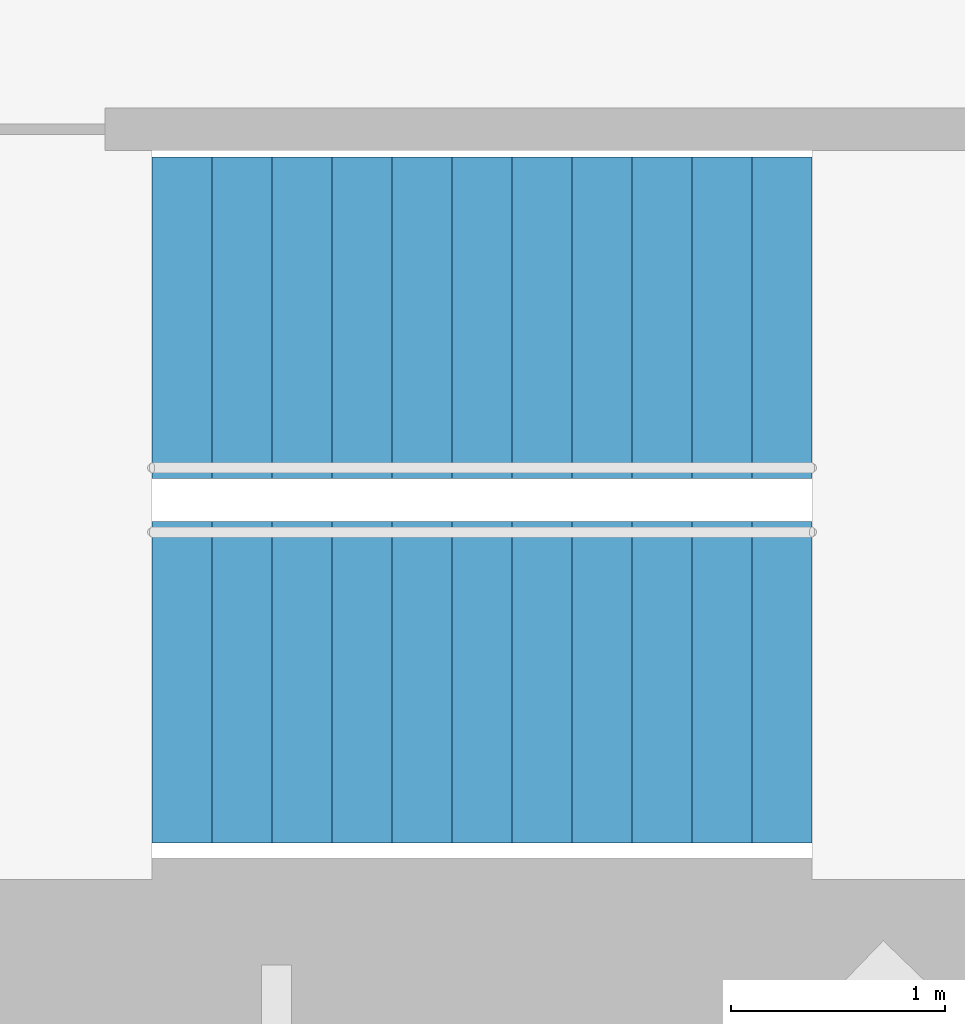
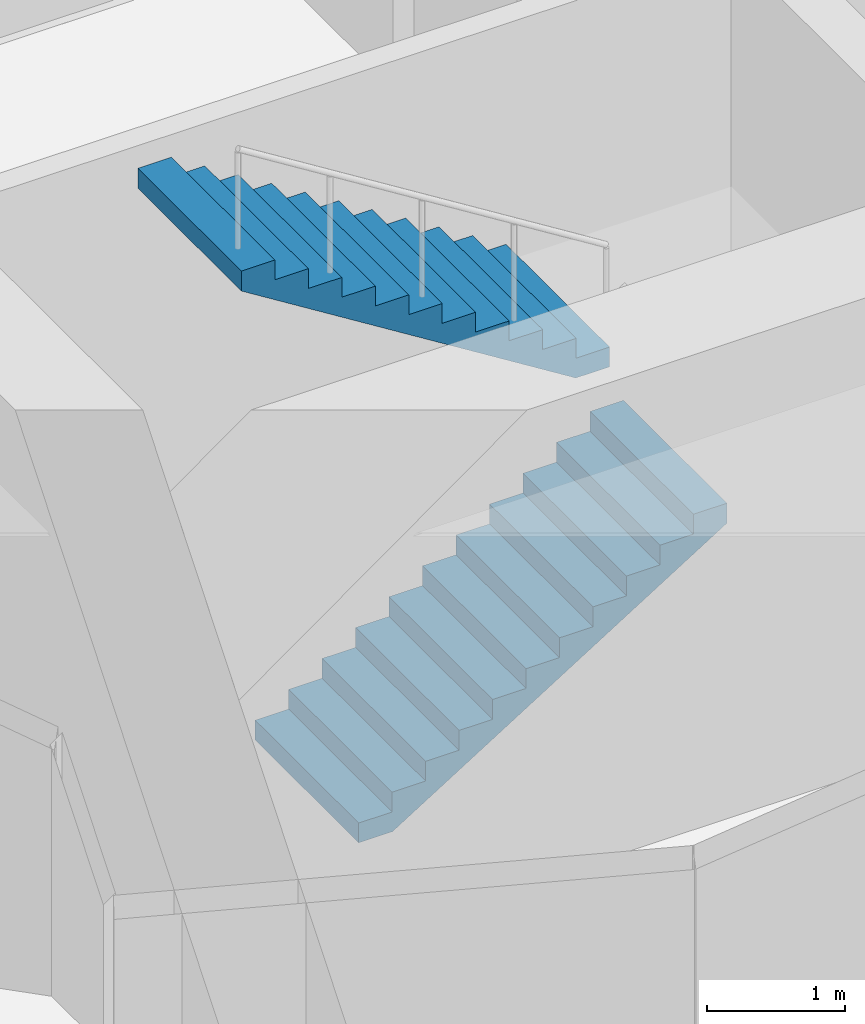
# One storey, part 16 of 18: 2 stair flights, 1 element without a shape of its own.
"""IFC4 building model written with IfcOpenShell, lengths in metres."""

import ifcopenshell
import ifcopenshell.guid

model = None  # the IFC model being written
_history = None  # IfcOwnerHistory: only IFC2X3 demands one
_inside = {}  # id of a spatial element -> (the spatial element, [elements in it])
_under = {}  # id of a project, library or spatial element -> (it, [spatial elements below it])
_declared = {}  # id of a project -> (the project, [libraries it declares])
_typed = {}  # id of a type object -> (the type object, [elements of that type])
_made_of = {}  # id of a material, layer set ... -> (it, [elements and type objects made of it])


def new_model(schema):
    """Start an empty IFC model of exactly this schema.

    Asked for "IFC4X3", IfcOpenShell would pick the latest addendum, in which some entities
    have other attributes; the version numbers below select the first issue.
    IFC2X3 requires an IfcOwnerHistory on every rooted entity: one is made here for all.
    """
    global model, _history
    if schema == "IFC4X3":
        model = ifcopenshell.file(schema_version=(4, 3, 0, 0))
    else:
        model = ifcopenshell.file(schema=schema)
    _inside.clear()
    _under.clear()
    _declared.clear()
    _typed.clear()
    _made_of.clear()
    _history = None
    if model.schema == "IFC2X3":
        org = make("IfcOrganization", Name="unknown")
        user = make(
            "IfcPersonAndOrganization",
            ThePerson=make("IfcPerson", FamilyName="unknown"),
            TheOrganization=org,
        )
        app = make(
            "IfcApplication",
            ApplicationDeveloper=org,
            Version="unknown",
            ApplicationFullName="unknown",
            ApplicationIdentifier="unknown",
        )
        _history = make(
            "IfcOwnerHistory",
            OwningUser=user,
            OwningApplication=app,
            ChangeAction="ADDED",
            CreationDate=0,
        )
    return model


def make(cls, **values):
    """One entity of the class cls with the attributes given. An attribute that is None is left unset."""
    return model.create_entity(
        cls, **{name: value for name, value in values.items() if value is not None}
    )


def rooted(cls, **values):
    """An entity with a GlobalId (a new one), such as an element, a storey or a relation."""
    return make(cls, GlobalId=ifcopenshell.guid.new(), OwnerHistory=_history, **values)


def si_unit(unit_type, name, prefix=None):
    """IfcSIUnit, for example si_unit("LENGTHUNIT", "METRE", prefix="MILLI")."""
    return make("IfcSIUnit", UnitType=unit_type, Prefix=prefix, Name=name)


def assignment(units):
    """IfcUnitAssignment: the units of a project."""
    return None if units is None else make("IfcUnitAssignment", Units=units)


def point(xyz):
    """IfcCartesianPoint."""
    return None if xyz is None else make("IfcCartesianPoint", Coordinates=xyz)


def direction(xyz):
    """IfcDirection."""
    return None if xyz is None else make("IfcDirection", DirectionRatios=xyz)


def frame(location, z_axis=None, x_axis=None):
    """IfcAxis2Placement3D, a coordinate frame: its origin and axes. An axis left out is left unset."""
    return make(
        "IfcAxis2Placement3D",
        Location=point(location),
        Axis=direction(z_axis),
        RefDirection=direction(x_axis),
    )


def origin():
    """The frame at (0, 0, 0) with its axes left unset."""
    return frame((0.0, 0.0, 0.0))


def place(relative_to, where):
    """IfcLocalPlacement: puts the frame where relative to a parent placement (None: the world)."""
    return make(
        "IfcLocalPlacement", PlacementRelTo=relative_to, RelativePlacement=where
    )


def context(
    kind, dimensions, precision=None, world=None, true_north=None, identifier=None
):
    """IfcGeometricRepresentationContext, for example the 3D "Model" context."""
    return make(
        "IfcGeometricRepresentationContext",
        ContextIdentifier=identifier,
        ContextType=kind,
        CoordinateSpaceDimension=dimensions,
        Precision=precision,
        WorldCoordinateSystem=world,
        TrueNorth=true_north,
    )


def subcontext(parent, identifier, kind, view, scale=None):
    """IfcGeometricRepresentationSubContext, for example "Body" below "Model"."""
    return make(
        "IfcGeometricRepresentationSubContext",
        ContextIdentifier=identifier,
        ContextType=kind,
        ParentContext=parent,
        TargetScale=scale,
        TargetView=view,
    )


def project(units=None, contexts=None):
    """IfcProject with its units and contexts."""
    return rooted(
        "IfcProject",
        Name="project",
        RepresentationContexts=contexts,
        UnitsInContext=assignment(units),
    )


def spatial(cls, under=None, at=None, **own):
    """A site, building, storey or space (cls), placed at a placement, below another one or the project."""
    s = rooted(cls, ObjectPlacement=at, **own)
    if under is not None:
        _under.setdefault(under.id(), (under, []))[1].append(s)
    return s


def point_list(points):
    """IfcCartesianPointList2D or 3D."""
    cls = (
        "IfcCartesianPointList2D" if len(points[0]) == 2 else "IfcCartesianPointList3D"
    )
    return make(cls, CoordList=points)


def triangles(points, corners, closed=None, point_numbers=None):
    """IfcTriangulatedFaceSet: each triangle names its three corners, points numbered from 1."""
    return make(
        "IfcTriangulatedFaceSet",
        Coordinates=point_list(points),
        Closed=closed,
        CoordIndex=corners,
        PnIndex=point_numbers,
    )


def shape(context_of_items, identifier, shape_type, items):
    """IfcShapeRepresentation: the items that make up one representation, for example the "Body"."""
    return make(
        "IfcShapeRepresentation",
        ContextOfItems=context_of_items,
        RepresentationIdentifier=identifier,
        RepresentationType=shape_type,
        Items=items,
    )


def material(Name=None, Category=None):
    """IfcMaterial."""
    return make("IfcMaterial", Name=Name, Category=Category)


def made_of(thing, what):
    """Note that an element or type object is made of a material, layer set ...; save() writes the relation."""
    if what is not None:
        _made_of.setdefault(what.id(), (what, []))[1].append(thing)
    return thing


def type_object(cls, material=None, **own):
    """A type object (cls), such as IfcWallType, which elements share."""
    return made_of(rooted(cls, **own), material)


def element(
    cls,
    number,
    at=None,
    inside=None,
    cuts=None,
    type_object=None,
    material=None,
    context=None,
    identifier="Body",
    shape_type=None,
    held_by="IfcProductDefinitionShape",
    body=None,
    shapes=None,
    **own,
):
    """One element of the class cls, such as IfcWall. Its Tag is "e" and its number.

    at: its placement. inside: the storey or other place that contains it. cuts: it is an
    opening in that element (IfcRelVoidsElement). A single representation is given by context,
    identifier, shape_type and body (its items); several are given by shapes. held_by: the class
    of the entity that holds the representations. save() writes the other relations.
    """
    e = rooted(cls, Tag="e%d" % number, ObjectPlacement=at, **own)
    if body is not None:
        shapes = [shape(context, identifier, shape_type, body)]
    if shapes is not None:
        e.Representation = make(held_by, Representations=shapes)
    if inside is not None:
        _inside.setdefault(inside.id(), (inside, []))[1].append(e)
    if cuts is not None:
        rooted(
            "IfcRelVoidsElement", RelatingBuildingElement=cuts, RelatedOpeningElement=e
        )
    if type_object is not None:
        _typed.setdefault(type_object.id(), (type_object, []))[1].append(e)
    return made_of(e, material)


def aggregate(whole, parts):
    """IfcRelAggregates: a whole, such as a stair, and the parts it consists of."""
    return rooted("IfcRelAggregates", RelatingObject=whole, RelatedObjects=parts)


def save(model, path):
    """Write the relations noted so far, then the file.

    IfcRelAggregates (storeys below a building ...), IfcRelContainedInSpatialStructure (elements
    in a storey), IfcRelDefinesByType, IfcRelAssociatesMaterial and IfcRelDeclares: one each for
    every whole, place, type object, material and project.
    """
    for whole, parts in _under.values():
        aggregate(whole, parts)
    for where, things in _inside.values():
        rooted(
            "IfcRelContainedInSpatialStructure",
            RelatedElements=things,
            RelatingStructure=where,
        )
    for kind, things in _typed.values():
        rooted("IfcRelDefinesByType", RelatedObjects=things, RelatingType=kind)
    for what, things in _made_of.values():
        rooted("IfcRelAssociatesMaterial", RelatedObjects=things, RelatingMaterial=what)
    for by, libraries in _declared.values():
        rooted("IfcRelDeclares", RelatingContext=by, RelatedDefinitions=libraries)
    model.write(path)


model = new_model("IFC4")

# Units and contexts
model_context = context("Model", 3, precision=1e-05, world=origin(), true_north=direction((0.0, 1.0)))
body_context = subcontext(model_context, "Body", "Model", "MODEL_VIEW")
ifc_project = project(units=[si_unit("LENGTHUNIT", "METRE"), si_unit("AREAUNIT", "SQUARE_METRE"), si_unit("VOLUMEUNIT", "CUBIC_METRE"), si_unit("PLANEANGLEUNIT", "RADIAN"), si_unit("MASSUNIT", "GRAM", prefix="KILO")], contexts=[model_context])

# Site, building, storey
site_placement = place(None, origin())
site = spatial("IfcSite", under=ifc_project, at=site_placement, CompositionType="ELEMENT")
building_placement = place(site_placement, origin())
building = spatial("IfcBuilding", under=site, at=building_placement, Name="Lantaw Convention Tower", CompositionType="ELEMENT")
storey_placement = place(building_placement, frame((0.0, 0.0, 257.800048828125)))
storey = spatial("IfcBuildingStorey", under=building, at=storey_placement, Name="L60", CompositionType="ELEMENT", Elevation=257.800048828125)

# Stair, stair flights
ifc_material = material(Name="Concrete C35/45", Category="concrete")
stair_type = type_object("IfcStairType", Name="Exit stair 1500 riser 175 in 2 flights", PredefinedType="HALF_TURN_STAIR", material=ifc_material)
stair_placement = place(storey_placement, origin())
stair = element("IfcStair", 1, at=stair_placement, inside=storey, type_object=stair_type, Name="Exit stair S1 L60", PredefinedType="HALF_TURN_STAIR")
stair_flight_type = type_object("IfcStairFlightType", Name="Stair flight 1500 riser 175", PredefinedType="STRAIGHT", material=ifc_material)
stair_flight_1_placement = place(storey_placement, frame((-10.580078125, -5.97998046875, 0.0), z_axis=(0.0, 0.0, 1.0), x_axis=(1.0, 0.0, 0.0)))
stair_flight_1 = element("IfcStairFlight", 2, at=stair_flight_1_placement, type_object=stair_flight_type, Name="S1 flight 1", NumberOfRisers=12, NumberOfTreads=11, PredefinedType="STRAIGHT", RiserHeight=0.175, TreadLength=0.28, context=body_context, shape_type="Tessellation", body=[
    triangles([(0.0, 0.75, 0.0), (0.0, 0.75, 0.175), (0.28, 0.75, 0.0), (0.28, 0.75, 0.175), (0.28, 0.75, 0.35), (0.28283517651771284, 0.75, 0.0), (0.28283517651771284, 0.75, 0.35), (0.56, 0.75, 0.17322801467642948), (0.56, 0.75, 0.35), (0.56, 0.75, 0.5249999999999999), (0.8400000000000001, 0.75, 0.34822801467642944), (0.8400000000000001, 0.75, 0.5249999999999999), (0.8400000000000001, 0.75, 0.7), (1.12, 0.75, 0.5232280146764294), (1.12, 0.75, 0.7), (1.12, 0.75, 0.875), (1.4000000000000001, 0.75, 0.6982280146764295), (1.4000000000000001, 0.75, 0.875), (1.4000000000000001, 0.75, 1.0499999999999998), (1.6800000000000002, 0.75, 0.8732280146764294), (1.6800000000000002, 0.75, 1.0499999999999998), (1.6800000000000002, 0.75, 1.2249999999999999), (1.9600000000000002, 0.75, 1.0482280146764293), (1.9600000000000002, 0.75, 1.2249999999999999), (1.9600000000000002, 0.75, 1.4), (2.24, 0.75, 1.2232280146764294), (2.24, 0.75, 1.4), (2.24, 0.75, 1.575), (2.5200000000000005, 0.75, 1.3982280146764294), (2.5200000000000005, 0.75, 1.575), (2.5200000000000005, 0.75, 1.75), (2.8000000000000003, 0.75, 1.5732280146764293), (2.8000000000000003, 0.75, 1.75), (2.8000000000000003, 0.75, 1.9249999999999998), (3.08, 0.75, 1.7482280146764293), (3.08, 0.75, 1.9249999999999998), (0.0, -0.75, 0.0), (0.0, -0.75, 0.175), (0.28, -0.75, 0.0), (0.28, -0.75, 0.175), (0.28, -0.75, 0.35), (0.28283517651771284, -0.75, 0.0), (0.28283517651771284, -0.75, 0.35), (0.56, -0.75, 0.17322801467642948), (0.56, -0.75, 0.35), (0.56, -0.75, 0.5249999999999999), (0.8400000000000001, -0.75, 0.34822801467642944), (0.8400000000000001, -0.75, 0.5249999999999999), (0.8400000000000001, -0.75, 0.7), (1.12, -0.75, 0.5232280146764294), (1.12, -0.75, 0.7), (1.12, -0.75, 0.875), (1.4000000000000001, -0.75, 0.6982280146764295), (1.4000000000000001, -0.75, 0.875), (1.4000000000000001, -0.75, 1.0499999999999998), (1.6800000000000002, -0.75, 0.8732280146764294), (1.6800000000000002, -0.75, 1.0499999999999998), (1.6800000000000002, -0.75, 1.2249999999999999), (1.9600000000000002, -0.75, 1.0482280146764293), (1.9600000000000002, -0.75, 1.2249999999999999), (1.9600000000000002, -0.75, 1.4), (2.24, -0.75, 1.2232280146764294), (2.24, -0.75, 1.4), (2.24, -0.75, 1.575), (2.5200000000000005, -0.75, 1.3982280146764294), (2.5200000000000005, -0.75, 1.575), (2.5200000000000005, -0.75, 1.75), (2.8000000000000003, -0.75, 1.5732280146764293), (2.8000000000000003, -0.75, 1.75), (2.8000000000000003, -0.75, 1.9249999999999998), (3.08, -0.75, 1.7482280146764293), (3.08, -0.75, 1.9249999999999998), (0.0, 0.15000000000000002, 0.175), (0.0, 0.15000000000000002, 0.0), (0.0, 0.0, 0.175), (0.0, 0.0, 0.0), (0.0, -0.15000000000000002, 0.175), (0.0, -0.15000000000000002, 0.0), (0.28, 0.15000000000000002, 0.35), (0.28, 0.15000000000000002, 0.175), (0.28, 0.0, 0.35), (0.28, 0.0, 0.175), (0.28, -0.15000000000000002, 0.35), (0.28, -0.15000000000000002, 0.175), (0.56, 0.15000000000000002, 0.5249999999999999), (0.56, 0.15000000000000002, 0.35), (0.56, 0.0, 0.5249999999999999), (0.56, 0.0, 0.35), (0.56, -0.15000000000000002, 0.5249999999999999), (0.56, -0.15000000000000002, 0.35), (0.8400000000000001, 0.15000000000000002, 0.7), (0.8400000000000001, 0.15000000000000002, 0.5249999999999999), (0.8400000000000001, 0.0, 0.7), (0.8400000000000001, 0.0, 0.5249999999999999), (0.8400000000000001, -0.15000000000000002, 0.7), (0.8400000000000001, -0.15000000000000002, 0.5249999999999999), (1.12, 0.15000000000000002, 0.875), (1.12, 0.15000000000000002, 0.7), (1.12, 0.0, 0.875), (1.12, 0.0, 0.7), (1.12, -0.15000000000000002, 0.875), (1.12, -0.15000000000000002, 0.7), (1.4000000000000001, 0.15000000000000002, 1.0499999999999998), (1.4000000000000001, 0.15000000000000002, 0.875), (1.4000000000000001, 0.0, 1.0499999999999998), (1.4000000000000001, 0.0, 0.875), (1.4000000000000001, -0.15000000000000002, 1.0499999999999998), (1.4000000000000001, -0.15000000000000002, 0.875), (1.6800000000000002, 0.15000000000000002, 1.2249999999999999), (1.6800000000000002, 0.15000000000000002, 1.0499999999999998), (1.6800000000000002, 0.0, 1.2249999999999999), (1.6800000000000002, 0.0, 1.0499999999999998), (1.6800000000000002, -0.15000000000000002, 1.2249999999999999), (1.6800000000000002, -0.15000000000000002, 1.0499999999999998), (1.9600000000000002, 0.15000000000000002, 1.4), (1.9600000000000002, 0.15000000000000002, 1.2249999999999999), (1.9600000000000002, 0.0, 1.4), (1.9600000000000002, 0.0, 1.2249999999999999), (1.9600000000000002, -0.15000000000000002, 1.4), (1.9600000000000002, -0.15000000000000002, 1.2249999999999999), (2.24, 0.15000000000000002, 1.575), (2.24, 0.15000000000000002, 1.4), (2.24, 0.0, 1.575), (2.24, 0.0, 1.4), (2.24, -0.15000000000000002, 1.575), (2.24, -0.15000000000000002, 1.4), (2.5200000000000005, 0.15000000000000002, 1.75), (2.5200000000000005, 0.15000000000000002, 1.575), (2.5200000000000005, 0.0, 1.75), (2.5200000000000005, 0.0, 1.575), (2.5200000000000005, -0.15000000000000002, 1.75), (2.5200000000000005, -0.15000000000000002, 1.575), (2.8000000000000003, 0.15000000000000002, 1.9249999999999998), (2.8000000000000003, 0.15000000000000002, 1.75), (2.8000000000000003, 0.0, 1.9249999999999998), (2.8000000000000003, 0.0, 1.75), (2.8000000000000003, -0.15000000000000002, 1.9249999999999998), (2.8000000000000003, -0.15000000000000002, 1.75), (0.28283517651771284, 0.15000000000000002, 0.35), (0.28283517651771284, 0.0, 0.35), (0.28283517651771284, -0.15000000000000002, 0.35), (3.08, 0.15000000000000002, 1.9249999999999998), (3.08, 0.0, 1.9249999999999998), (3.08, -0.15000000000000002, 1.9249999999999998), (3.08, 0.15000000000000002, 1.7482280146764293), (3.08, 0.0, 1.7482280146764293), (3.08, -0.15000000000000002, 1.7482280146764293), (2.8000000000000003, 0.15000000000000002, 1.5732280146764293), (2.8000000000000003, 0.0, 1.5732280146764293), (2.8000000000000003, -0.15000000000000002, 1.5732280146764293), (2.5200000000000005, 0.15000000000000002, 1.3982280146764294), (2.5200000000000005, 0.0, 1.3982280146764294), (2.5200000000000005, -0.15000000000000002, 1.3982280146764294), (2.24, 0.15000000000000002, 1.2232280146764294), (2.24, 0.0, 1.2232280146764294), (2.24, -0.15000000000000002, 1.2232280146764294), (1.9600000000000002, 0.15000000000000002, 1.0482280146764293), (1.9600000000000002, 0.0, 1.0482280146764293), (1.9600000000000002, -0.15000000000000002, 1.0482280146764293), (1.6800000000000002, 0.15000000000000002, 0.8732280146764294), (1.6800000000000002, 0.0, 0.8732280146764294), (1.6800000000000002, -0.15000000000000002, 0.8732280146764294), (1.4000000000000001, 0.15000000000000002, 0.6982280146764295), (1.4000000000000001, 0.0, 0.6982280146764295), (1.4000000000000001, -0.15000000000000002, 0.6982280146764295), (1.12, 0.15000000000000002, 0.5232280146764294), (1.12, 0.0, 0.5232280146764294), (1.12, -0.15000000000000002, 0.5232280146764294), (0.8400000000000001, 0.15000000000000002, 0.34822801467642944), (0.8400000000000001, 0.0, 0.34822801467642944), (0.8400000000000001, -0.15000000000000002, 0.34822801467642944), (0.56, 0.15000000000000002, 0.17322801467642948), (0.56, 0.0, 0.17322801467642948), (0.56, -0.15000000000000002, 0.17322801467642948), (0.28283517651771284, 0.15000000000000002, 0.0), (0.28283517651771284, 0.0, 0.0), (0.28283517651771284, -0.15000000000000002, 0.0), (0.28, 0.15000000000000002, 0.0), (0.28, 0.0, 0.0), (0.28, -0.15000000000000002, 0.0)], [[1, 4, 3], [1, 2, 4], [3, 4, 6], [4, 7, 6], [4, 5, 7], [6, 9, 8], [6, 7, 9], [8, 9, 11], [9, 12, 11], [9, 10, 12], [11, 12, 14], [12, 15, 14], [12, 13, 15], [14, 15, 17], [15, 18, 17], [15, 16, 18], [17, 18, 20], [18, 21, 20], [18, 19, 21], [20, 21, 23], [21, 24, 23], [21, 22, 24], [23, 24, 26], [24, 27, 26], [24, 25, 27], [26, 27, 29], [27, 30, 29], [27, 28, 30], [29, 30, 32], [30, 33, 32], [30, 31, 33], [32, 33, 35], [33, 36, 35], [33, 34, 36], [37, 39, 40], [37, 40, 38], [39, 42, 40], [40, 42, 43], [40, 43, 41], [42, 44, 45], [42, 45, 43], [44, 47, 45], [45, 47, 48], [45, 48, 46], [47, 50, 48], [48, 50, 51], [48, 51, 49], [50, 53, 51], [51, 53, 54], [51, 54, 52], [53, 56, 54], [54, 56, 57], [54, 57, 55], [56, 59, 57], [57, 59, 60], [57, 60, 58], [59, 62, 60], [60, 62, 63], [60, 63, 61], [62, 65, 63], [63, 65, 66], [63, 66, 64], [65, 68, 66], [66, 68, 69], [66, 69, 67], [68, 71, 69], [69, 71, 72], [69, 72, 70], [1, 73, 2], [1, 74, 73], [74, 75, 73], [74, 76, 75], [76, 77, 75], [76, 78, 77], [78, 38, 77], [78, 37, 38], [4, 79, 5], [4, 80, 79], [80, 81, 79], [80, 82, 81], [82, 83, 81], [82, 84, 83], [84, 41, 83], [84, 40, 41], [9, 85, 10], [9, 86, 85], [86, 87, 85], [86, 88, 87], [88, 89, 87], [88, 90, 89], [90, 46, 89], [90, 45, 46], [12, 91, 13], [12, 92, 91], [92, 93, 91], [92, 94, 93], [94, 95, 93], [94, 96, 95], [96, 49, 95], [96, 48, 49], [15, 97, 16], [15, 98, 97], [98, 99, 97], [98, 100, 99], [100, 101, 99], [100, 102, 101], [102, 52, 101], [102, 51, 52], [18, 103, 19], [18, 104, 103], [104, 105, 103], [104, 106, 105], [106, 107, 105], [106, 108, 107], [108, 55, 107], [108, 54, 55], [21, 109, 22], [21, 110, 109], [110, 111, 109], [110, 112, 111], [112, 113, 111], [112, 114, 113], [114, 58, 113], [114, 57, 58], [24, 115, 25], [24, 116, 115], [116, 117, 115], [116, 118, 117], [118, 119, 117], [118, 120, 119], [120, 61, 119], [120, 60, 61], [27, 121, 28], [27, 122, 121], [122, 123, 121], [122, 124, 123], [124, 125, 123], [124, 126, 125], [126, 64, 125], [126, 63, 64], [30, 127, 31], [30, 128, 127], [128, 129, 127], [128, 130, 129], [130, 131, 129], [130, 132, 131], [132, 67, 131], [132, 66, 67], [33, 133, 34], [33, 134, 133], [134, 135, 133], [134, 136, 135], [136, 137, 135], [136, 138, 137], [138, 70, 137], [138, 69, 70], [2, 80, 4], [2, 73, 80], [73, 82, 80], [73, 75, 82], [75, 84, 82], [75, 77, 84], [77, 40, 84], [77, 38, 40], [5, 139, 7], [5, 79, 139], [79, 140, 139], [79, 81, 140], [81, 141, 140], [81, 83, 141], [83, 43, 141], [83, 41, 43], [7, 86, 9], [7, 139, 86], [139, 88, 86], [139, 140, 88], [140, 90, 88], [140, 141, 90], [141, 45, 90], [141, 43, 45], [10, 92, 12], [10, 85, 92], [85, 94, 92], [85, 87, 94], [87, 96, 94], [87, 89, 96], [89, 48, 96], [89, 46, 48], [13, 98, 15], [13, 91, 98], [91, 100, 98], [91, 93, 100], [93, 102, 100], [93, 95, 102], [95, 51, 102], [95, 49, 51], [16, 104, 18], [16, 97, 104], [97, 106, 104], [97, 99, 106], [99, 108, 106], [99, 101, 108], [101, 54, 108], [101, 52, 54], [19, 110, 21], [19, 103, 110], [103, 112, 110], [103, 105, 112], [105, 114, 112], [105, 107, 114], [107, 57, 114], [107, 55, 57], [22, 116, 24], [22, 109, 116], [109, 118, 116], [109, 111, 118], [111, 120, 118], [111, 113, 120], [113, 60, 120], [113, 58, 60], [25, 122, 27], [25, 115, 122], [115, 124, 122], [115, 117, 124], [117, 126, 124], [117, 119, 126], [119, 63, 126], [119, 61, 63], [28, 128, 30], [28, 121, 128], [121, 130, 128], [121, 123, 130], [123, 132, 130], [123, 125, 132], [125, 66, 132], [125, 64, 66], [31, 134, 33], [31, 127, 134], [127, 136, 134], [127, 129, 136], [129, 138, 136], [129, 131, 138], [131, 69, 138], [131, 67, 69], [34, 142, 36], [34, 133, 142], [133, 143, 142], [133, 135, 143], [135, 144, 143], [135, 137, 144], [137, 72, 144], [137, 70, 72], [36, 145, 35], [36, 142, 145], [142, 146, 145], [142, 143, 146], [143, 147, 146], [143, 144, 147], [144, 71, 147], [144, 72, 71], [35, 148, 32], [35, 145, 148], [145, 149, 148], [145, 146, 149], [146, 150, 149], [146, 147, 150], [147, 68, 150], [147, 71, 68], [32, 151, 29], [32, 148, 151], [148, 152, 151], [148, 149, 152], [149, 153, 152], [149, 150, 153], [150, 65, 153], [150, 68, 65], [29, 154, 26], [29, 151, 154], [151, 155, 154], [151, 152, 155], [152, 156, 155], [152, 153, 156], [153, 62, 156], [153, 65, 62], [26, 157, 23], [26, 154, 157], [154, 158, 157], [154, 155, 158], [155, 159, 158], [155, 156, 159], [156, 59, 159], [156, 62, 59], [23, 160, 20], [23, 157, 160], [157, 161, 160], [157, 158, 161], [158, 162, 161], [158, 159, 162], [159, 56, 162], [159, 59, 56], [20, 163, 17], [20, 160, 163], [160, 164, 163], [160, 161, 164], [161, 165, 164], [161, 162, 165], [162, 53, 165], [162, 56, 53], [17, 166, 14], [17, 163, 166], [163, 167, 166], [163, 164, 167], [164, 168, 167], [164, 165, 168], [165, 50, 168], [165, 53, 50], [14, 169, 11], [14, 166, 169], [166, 170, 169], [166, 167, 170], [167, 171, 170], [167, 168, 171], [168, 47, 171], [168, 50, 47], [11, 172, 8], [11, 169, 172], [169, 173, 172], [169, 170, 173], [170, 174, 173], [170, 171, 174], [171, 44, 174], [171, 47, 44], [8, 175, 6], [8, 172, 175], [172, 176, 175], [172, 173, 176], [173, 177, 176], [173, 174, 177], [174, 42, 177], [174, 44, 42], [6, 178, 3], [6, 175, 178], [175, 179, 178], [175, 176, 179], [176, 180, 179], [176, 177, 180], [177, 39, 180], [177, 42, 39], [3, 74, 1], [3, 178, 74], [178, 76, 74], [178, 179, 76], [179, 78, 76], [179, 180, 78], [180, 37, 78], [180, 39, 37]], closed=True),
])
stair_flight_2_placement = place(storey_placement, frame((-7.5, -4.280029296875, 2.099853515625), z_axis=(0.0, 0.0, 1.0), x_axis=(-1.0, 0.0, 0.0)))
stair_flight_2 = element("IfcStairFlight", 3, at=stair_flight_2_placement, type_object=stair_flight_type, Name="S1 flight 2", NumberOfRisers=12, NumberOfTreads=11, PredefinedType="STRAIGHT", RiserHeight=0.175, TreadLength=0.28, context=body_context, shape_type="Tessellation", body=[
    triangles([(0.0, 0.75, 0.0), (0.0, 0.75, 0.175), (0.28, 0.75, 0.0), (0.28, 0.75, 0.175), (0.28, 0.75, 0.35), (0.28283517651771284, 0.75, 0.0), (0.28283517651771284, 0.75, 0.35), (0.56, 0.75, 0.17322801467642948), (0.56, 0.75, 0.35), (0.56, 0.75, 0.5249999999999999), (0.8400000000000001, 0.75, 0.34822801467642944), (0.8400000000000001, 0.75, 0.5249999999999999), (0.8400000000000001, 0.75, 0.7), (1.12, 0.75, 0.5232280146764294), (1.12, 0.75, 0.7), (1.12, 0.75, 0.875), (1.4000000000000001, 0.75, 0.6982280146764295), (1.4000000000000001, 0.75, 0.875), (1.4000000000000001, 0.75, 1.0499999999999998), (1.6800000000000002, 0.75, 0.8732280146764294), (1.6800000000000002, 0.75, 1.0499999999999998), (1.6800000000000002, 0.75, 1.2249999999999999), (1.9600000000000002, 0.75, 1.0482280146764293), (1.9600000000000002, 0.75, 1.2249999999999999), (1.9600000000000002, 0.75, 1.4), (2.24, 0.75, 1.2232280146764294), (2.24, 0.75, 1.4), (2.24, 0.75, 1.575), (2.5200000000000005, 0.75, 1.3982280146764294), (2.5200000000000005, 0.75, 1.575), (2.5200000000000005, 0.75, 1.75), (2.8000000000000003, 0.75, 1.5732280146764293), (2.8000000000000003, 0.75, 1.75), (2.8000000000000003, 0.75, 1.9249999999999998), (3.08, 0.75, 1.7482280146764293), (3.08, 0.75, 1.9249999999999998), (0.0, -0.75, 0.0), (0.0, -0.75, 0.175), (0.28, -0.75, 0.0), (0.28, -0.75, 0.175), (0.28, -0.75, 0.35), (0.28283517651771284, -0.75, 0.0), (0.28283517651771284, -0.75, 0.35), (0.56, -0.75, 0.17322801467642948), (0.56, -0.75, 0.35), (0.56, -0.75, 0.5249999999999999), (0.8400000000000001, -0.75, 0.34822801467642944), (0.8400000000000001, -0.75, 0.5249999999999999), (0.8400000000000001, -0.75, 0.7), (1.12, -0.75, 0.5232280146764294), (1.12, -0.75, 0.7), (1.12, -0.75, 0.875), (1.4000000000000001, -0.75, 0.6982280146764295), (1.4000000000000001, -0.75, 0.875), (1.4000000000000001, -0.75, 1.0499999999999998), (1.6800000000000002, -0.75, 0.8732280146764294), (1.6800000000000002, -0.75, 1.0499999999999998), (1.6800000000000002, -0.75, 1.2249999999999999), (1.9600000000000002, -0.75, 1.0482280146764293), (1.9600000000000002, -0.75, 1.2249999999999999), (1.9600000000000002, -0.75, 1.4), (2.24, -0.75, 1.2232280146764294), (2.24, -0.75, 1.4), (2.24, -0.75, 1.575), (2.5200000000000005, -0.75, 1.3982280146764294), (2.5200000000000005, -0.75, 1.575), (2.5200000000000005, -0.75, 1.75), (2.8000000000000003, -0.75, 1.5732280146764293), (2.8000000000000003, -0.75, 1.75), (2.8000000000000003, -0.75, 1.9249999999999998), (3.08, -0.75, 1.7482280146764293), (3.08, -0.75, 1.9249999999999998), (0.0, 0.15000000000000002, 0.175), (0.0, 0.15000000000000002, 0.0), (0.0, 0.0, 0.175), (0.0, 0.0, 0.0), (0.0, -0.15000000000000002, 0.175), (0.0, -0.15000000000000002, 0.0), (0.28, 0.15000000000000002, 0.35), (0.28, 0.15000000000000002, 0.175), (0.28, 0.0, 0.35), (0.28, 0.0, 0.175), (0.28, -0.15000000000000002, 0.35), (0.28, -0.15000000000000002, 0.175), (0.56, 0.15000000000000002, 0.5249999999999999), (0.56, 0.15000000000000002, 0.35), (0.56, 0.0, 0.5249999999999999), (0.56, 0.0, 0.35), (0.56, -0.15000000000000002, 0.5249999999999999), (0.56, -0.15000000000000002, 0.35), (0.8400000000000001, 0.15000000000000002, 0.7), (0.8400000000000001, 0.15000000000000002, 0.5249999999999999), (0.8400000000000001, 0.0, 0.7), (0.8400000000000001, 0.0, 0.5249999999999999), (0.8400000000000001, -0.15000000000000002, 0.7), (0.8400000000000001, -0.15000000000000002, 0.5249999999999999), (1.12, 0.15000000000000002, 0.875), (1.12, 0.15000000000000002, 0.7), (1.12, 0.0, 0.875), (1.12, 0.0, 0.7), (1.12, -0.15000000000000002, 0.875), (1.12, -0.15000000000000002, 0.7), (1.4000000000000001, 0.15000000000000002, 1.0499999999999998), (1.4000000000000001, 0.15000000000000002, 0.875), (1.4000000000000001, 0.0, 1.0499999999999998), (1.4000000000000001, 0.0, 0.875), (1.4000000000000001, -0.15000000000000002, 1.0499999999999998), (1.4000000000000001, -0.15000000000000002, 0.875), (1.6800000000000002, 0.15000000000000002, 1.2249999999999999), (1.6800000000000002, 0.15000000000000002, 1.0499999999999998), (1.6800000000000002, 0.0, 1.2249999999999999), (1.6800000000000002, 0.0, 1.0499999999999998), (1.6800000000000002, -0.15000000000000002, 1.2249999999999999), (1.6800000000000002, -0.15000000000000002, 1.0499999999999998), (1.9600000000000002, 0.15000000000000002, 1.4), (1.9600000000000002, 0.15000000000000002, 1.2249999999999999), (1.9600000000000002, 0.0, 1.4), (1.9600000000000002, 0.0, 1.2249999999999999), (1.9600000000000002, -0.15000000000000002, 1.4), (1.9600000000000002, -0.15000000000000002, 1.2249999999999999), (2.24, 0.15000000000000002, 1.575), (2.24, 0.15000000000000002, 1.4), (2.24, 0.0, 1.575), (2.24, 0.0, 1.4), (2.24, -0.15000000000000002, 1.575), (2.24, -0.15000000000000002, 1.4), (2.5200000000000005, 0.15000000000000002, 1.75), (2.5200000000000005, 0.15000000000000002, 1.575), (2.5200000000000005, 0.0, 1.75), (2.5200000000000005, 0.0, 1.575), (2.5200000000000005, -0.15000000000000002, 1.75), (2.5200000000000005, -0.15000000000000002, 1.575), (2.8000000000000003, 0.15000000000000002, 1.9249999999999998), (2.8000000000000003, 0.15000000000000002, 1.75), (2.8000000000000003, 0.0, 1.9249999999999998), (2.8000000000000003, 0.0, 1.75), (2.8000000000000003, -0.15000000000000002, 1.9249999999999998), (2.8000000000000003, -0.15000000000000002, 1.75), (0.28283517651771284, 0.15000000000000002, 0.35), (0.28283517651771284, 0.0, 0.35), (0.28283517651771284, -0.15000000000000002, 0.35), (3.08, 0.15000000000000002, 1.9249999999999998), (3.08, 0.0, 1.9249999999999998), (3.08, -0.15000000000000002, 1.9249999999999998), (3.08, 0.15000000000000002, 1.7482280146764293), (3.08, 0.0, 1.7482280146764293), (3.08, -0.15000000000000002, 1.7482280146764293), (2.8000000000000003, 0.15000000000000002, 1.5732280146764293), (2.8000000000000003, 0.0, 1.5732280146764293), (2.8000000000000003, -0.15000000000000002, 1.5732280146764293), (2.5200000000000005, 0.15000000000000002, 1.3982280146764294), (2.5200000000000005, 0.0, 1.3982280146764294), (2.5200000000000005, -0.15000000000000002, 1.3982280146764294), (2.24, 0.15000000000000002, 1.2232280146764294), (2.24, 0.0, 1.2232280146764294), (2.24, -0.15000000000000002, 1.2232280146764294), (1.9600000000000002, 0.15000000000000002, 1.0482280146764293), (1.9600000000000002, 0.0, 1.0482280146764293), (1.9600000000000002, -0.15000000000000002, 1.0482280146764293), (1.6800000000000002, 0.15000000000000002, 0.8732280146764294), (1.6800000000000002, 0.0, 0.8732280146764294), (1.6800000000000002, -0.15000000000000002, 0.8732280146764294), (1.4000000000000001, 0.15000000000000002, 0.6982280146764295), (1.4000000000000001, 0.0, 0.6982280146764295), (1.4000000000000001, -0.15000000000000002, 0.6982280146764295), (1.12, 0.15000000000000002, 0.5232280146764294), (1.12, 0.0, 0.5232280146764294), (1.12, -0.15000000000000002, 0.5232280146764294), (0.8400000000000001, 0.15000000000000002, 0.34822801467642944), (0.8400000000000001, 0.0, 0.34822801467642944), (0.8400000000000001, -0.15000000000000002, 0.34822801467642944), (0.56, 0.15000000000000002, 0.17322801467642948), (0.56, 0.0, 0.17322801467642948), (0.56, -0.15000000000000002, 0.17322801467642948), (0.28283517651771284, 0.15000000000000002, 0.0), (0.28283517651771284, 0.0, 0.0), (0.28283517651771284, -0.15000000000000002, 0.0), (0.28, 0.15000000000000002, 0.0), (0.28, 0.0, 0.0), (0.28, -0.15000000000000002, 0.0)], [[1, 4, 3], [1, 2, 4], [3, 4, 6], [4, 7, 6], [4, 5, 7], [6, 9, 8], [6, 7, 9], [8, 9, 11], [9, 12, 11], [9, 10, 12], [11, 12, 14], [12, 15, 14], [12, 13, 15], [14, 15, 17], [15, 18, 17], [15, 16, 18], [17, 18, 20], [18, 21, 20], [18, 19, 21], [20, 21, 23], [21, 24, 23], [21, 22, 24], [23, 24, 26], [24, 27, 26], [24, 25, 27], [26, 27, 29], [27, 30, 29], [27, 28, 30], [29, 30, 32], [30, 33, 32], [30, 31, 33], [32, 33, 35], [33, 36, 35], [33, 34, 36], [37, 39, 40], [37, 40, 38], [39, 42, 40], [40, 42, 43], [40, 43, 41], [42, 44, 45], [42, 45, 43], [44, 47, 45], [45, 47, 48], [45, 48, 46], [47, 50, 48], [48, 50, 51], [48, 51, 49], [50, 53, 51], [51, 53, 54], [51, 54, 52], [53, 56, 54], [54, 56, 57], [54, 57, 55], [56, 59, 57], [57, 59, 60], [57, 60, 58], [59, 62, 60], [60, 62, 63], [60, 63, 61], [62, 65, 63], [63, 65, 66], [63, 66, 64], [65, 68, 66], [66, 68, 69], [66, 69, 67], [68, 71, 69], [69, 71, 72], [69, 72, 70], [1, 73, 2], [1, 74, 73], [74, 75, 73], [74, 76, 75], [76, 77, 75], [76, 78, 77], [78, 38, 77], [78, 37, 38], [4, 79, 5], [4, 80, 79], [80, 81, 79], [80, 82, 81], [82, 83, 81], [82, 84, 83], [84, 41, 83], [84, 40, 41], [9, 85, 10], [9, 86, 85], [86, 87, 85], [86, 88, 87], [88, 89, 87], [88, 90, 89], [90, 46, 89], [90, 45, 46], [12, 91, 13], [12, 92, 91], [92, 93, 91], [92, 94, 93], [94, 95, 93], [94, 96, 95], [96, 49, 95], [96, 48, 49], [15, 97, 16], [15, 98, 97], [98, 99, 97], [98, 100, 99], [100, 101, 99], [100, 102, 101], [102, 52, 101], [102, 51, 52], [18, 103, 19], [18, 104, 103], [104, 105, 103], [104, 106, 105], [106, 107, 105], [106, 108, 107], [108, 55, 107], [108, 54, 55], [21, 109, 22], [21, 110, 109], [110, 111, 109], [110, 112, 111], [112, 113, 111], [112, 114, 113], [114, 58, 113], [114, 57, 58], [24, 115, 25], [24, 116, 115], [116, 117, 115], [116, 118, 117], [118, 119, 117], [118, 120, 119], [120, 61, 119], [120, 60, 61], [27, 121, 28], [27, 122, 121], [122, 123, 121], [122, 124, 123], [124, 125, 123], [124, 126, 125], [126, 64, 125], [126, 63, 64], [30, 127, 31], [30, 128, 127], [128, 129, 127], [128, 130, 129], [130, 131, 129], [130, 132, 131], [132, 67, 131], [132, 66, 67], [33, 133, 34], [33, 134, 133], [134, 135, 133], [134, 136, 135], [136, 137, 135], [136, 138, 137], [138, 70, 137], [138, 69, 70], [2, 80, 4], [2, 73, 80], [73, 82, 80], [73, 75, 82], [75, 84, 82], [75, 77, 84], [77, 40, 84], [77, 38, 40], [5, 139, 7], [5, 79, 139], [79, 140, 139], [79, 81, 140], [81, 141, 140], [81, 83, 141], [83, 43, 141], [83, 41, 43], [7, 86, 9], [7, 139, 86], [139, 88, 86], [139, 140, 88], [140, 90, 88], [140, 141, 90], [141, 45, 90], [141, 43, 45], [10, 92, 12], [10, 85, 92], [85, 94, 92], [85, 87, 94], [87, 96, 94], [87, 89, 96], [89, 48, 96], [89, 46, 48], [13, 98, 15], [13, 91, 98], [91, 100, 98], [91, 93, 100], [93, 102, 100], [93, 95, 102], [95, 51, 102], [95, 49, 51], [16, 104, 18], [16, 97, 104], [97, 106, 104], [97, 99, 106], [99, 108, 106], [99, 101, 108], [101, 54, 108], [101, 52, 54], [19, 110, 21], [19, 103, 110], [103, 112, 110], [103, 105, 112], [105, 114, 112], [105, 107, 114], [107, 57, 114], [107, 55, 57], [22, 116, 24], [22, 109, 116], [109, 118, 116], [109, 111, 118], [111, 120, 118], [111, 113, 120], [113, 60, 120], [113, 58, 60], [25, 122, 27], [25, 115, 122], [115, 124, 122], [115, 117, 124], [117, 126, 124], [117, 119, 126], [119, 63, 126], [119, 61, 63], [28, 128, 30], [28, 121, 128], [121, 130, 128], [121, 123, 130], [123, 132, 130], [123, 125, 132], [125, 66, 132], [125, 64, 66], [31, 134, 33], [31, 127, 134], [127, 136, 134], [127, 129, 136], [129, 138, 136], [129, 131, 138], [131, 69, 138], [131, 67, 69], [34, 142, 36], [34, 133, 142], [133, 143, 142], [133, 135, 143], [135, 144, 143], [135, 137, 144], [137, 72, 144], [137, 70, 72], [36, 145, 35], [36, 142, 145], [142, 146, 145], [142, 143, 146], [143, 147, 146], [143, 144, 147], [144, 71, 147], [144, 72, 71], [35, 148, 32], [35, 145, 148], [145, 149, 148], [145, 146, 149], [146, 150, 149], [146, 147, 150], [147, 68, 150], [147, 71, 68], [32, 151, 29], [32, 148, 151], [148, 152, 151], [148, 149, 152], [149, 153, 152], [149, 150, 153], [150, 65, 153], [150, 68, 65], [29, 154, 26], [29, 151, 154], [151, 155, 154], [151, 152, 155], [152, 156, 155], [152, 153, 156], [153, 62, 156], [153, 65, 62], [26, 157, 23], [26, 154, 157], [154, 158, 157], [154, 155, 158], [155, 159, 158], [155, 156, 159], [156, 59, 159], [156, 62, 59], [23, 160, 20], [23, 157, 160], [157, 161, 160], [157, 158, 161], [158, 162, 161], [158, 159, 162], [159, 56, 162], [159, 59, 56], [20, 163, 17], [20, 160, 163], [160, 164, 163], [160, 161, 164], [161, 165, 164], [161, 162, 165], [162, 53, 165], [162, 56, 53], [17, 166, 14], [17, 163, 166], [163, 167, 166], [163, 164, 167], [164, 168, 167], [164, 165, 168], [165, 50, 168], [165, 53, 50], [14, 169, 11], [14, 166, 169], [166, 170, 169], [166, 167, 170], [167, 171, 170], [167, 168, 171], [168, 47, 171], [168, 50, 47], [11, 172, 8], [11, 169, 172], [169, 173, 172], [169, 170, 173], [170, 174, 173], [170, 171, 174], [171, 44, 174], [171, 47, 44], [8, 175, 6], [8, 172, 175], [172, 176, 175], [172, 173, 176], [173, 177, 176], [173, 174, 177], [174, 42, 177], [174, 44, 42], [6, 178, 3], [6, 175, 178], [175, 179, 178], [175, 176, 179], [176, 180, 179], [176, 177, 180], [177, 39, 180], [177, 42, 39], [3, 74, 1], [3, 178, 74], [178, 76, 74], [178, 179, 76], [179, 78, 76], [179, 180, 78], [180, 37, 78], [180, 39, 37]], closed=True),
])
aggregate(stair, [stair_flight_1, stair_flight_2])

save(model, "model.ifc")
